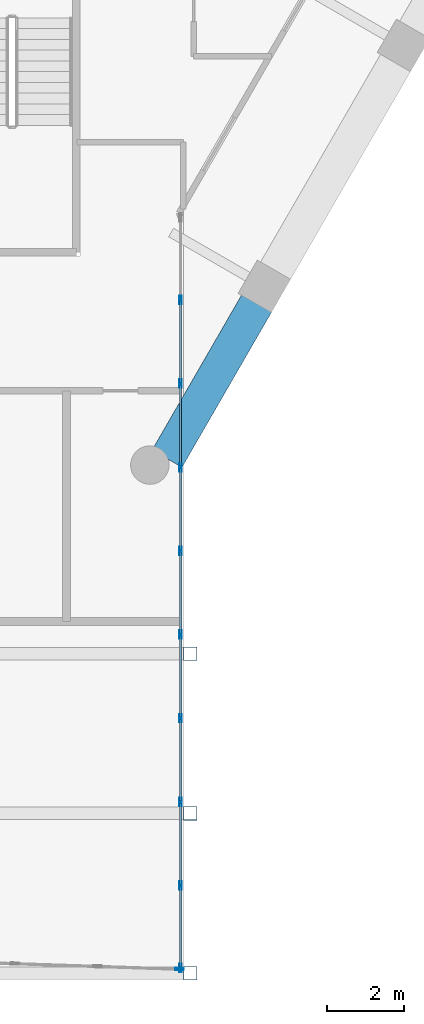
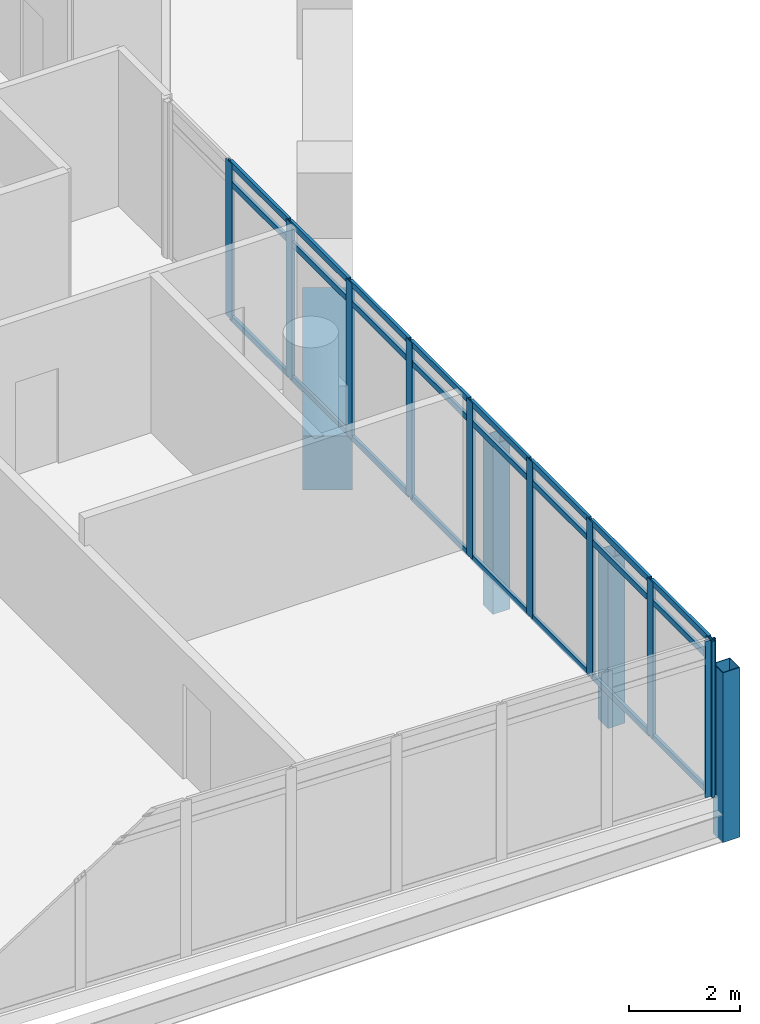
# One storey, part 10 of 29: 37 members, 1 beam, 2 elements without a shape of their own.
"""IFC4 building model written with IfcOpenShell, lengths in metres."""

from ifc_helpers import new_model, si_unit, direction, frame, origin, origin_2d, place, context, subcontext, project, spatial, rectangle, hollow_rectangle, extrude, material, material_profile, profile_set, type_object, element, aggregate, save


model = new_model("IFC4")

# Units and contexts
model_context = context("Model", 3, precision=1e-05, world=origin(), true_north=direction((0.0, 1.0)))
body_context = subcontext(model_context, "Body", "Model", "MODEL_VIEW")
ifc_project = project(units=[si_unit("LENGTHUNIT", "METRE"), si_unit("AREAUNIT", "SQUARE_METRE"), si_unit("VOLUMEUNIT", "CUBIC_METRE"), si_unit("PLANEANGLEUNIT", "RADIAN"), si_unit("MASSUNIT", "GRAM", prefix="KILO")], contexts=[model_context])

# Site, building, storey
site_placement = place(None, origin())
site = spatial("IfcSite", under=ifc_project, at=site_placement, CompositionType="ELEMENT")
building_placement = place(site_placement, origin())
building = spatial("IfcBuilding", under=site, at=building_placement, Name="Ostrander Bayou Hotel Tower", CompositionType="ELEMENT")
storey_placement = place(building_placement, frame((0.0, 0.0, 202.0)))
storey = spatial("IfcBuildingStorey", under=building, at=storey_placement, Name="L50", CompositionType="ELEMENT", Elevation=202.0)

# Curtain wall, member
ifc_material_1 = material(Name="Aluminium and clear glass", Category="aluminium")
curtain_wall_type = type_object("IfcCurtainWallType", Name="CW-BAR glazed wall", PredefinedType="NOTDEFINED", material=ifc_material_1)
curtain_wall_1_placement = place(storey_placement, origin())
curtain_wall_1 = element("IfcCurtainWall", 1, at=curtain_wall_1_placement, inside=storey, type_object=curtain_wall_type, Name="CW-BAR L50:SB4S:T", PredefinedType="NOTDEFINED")
ifc_material_2 = material(Name="Aluminium", Category="aluminium")
ifc_material_profile_1 = material_profile(ifc_material_2, hollow_rectangle(XDim=0.06005859375, YDim=0.219970703125, WallThickness=0.00390625, at=origin_2d()))
ifc_profile_set_1 = profile_set([ifc_material_profile_1], Name="Aluminium")
member_type_1 = type_object("IfcMemberType", Name="CW-BR mullion 60 x 220 mm", PredefinedType="MULLION", material=ifc_profile_set_1)
member_1_placement = place(storey_placement, frame((11.8271484375, -30.04638671875, 0.0), z_axis=(0.0, 0.0, 1.0), x_axis=(0.03350511268, 0.999438546097, 0.0)))
member_1 = element("IfcMember", 2, at=member_1_placement, type_object=member_type_1, Name="CW-BAR mullion 12", PredefinedType="MULLION", context=body_context, shape_type="SweptSolid", body=[
    extrude(hollow_rectangle(XDim=0.06005859375, YDim=0.219970703125, WallThickness=0.00390625, at=origin_2d()), origin(), (0.0, 0.0, 1.0), 3.449951171875),
])
aggregate(curtain_wall_1, [member_1])

# Curtain wall, members
curtain_wall_2_placement = place(storey_placement, origin())
curtain_wall_2 = element("IfcCurtainWall", 3, at=curtain_wall_2_placement, inside=storey, type_object=curtain_wall_type, Name="CW-BAR L50:SB4S:W", PredefinedType="NOTDEFINED")
member_2_placement = place(storey_placement, frame((11.857177734375, -12.638671875, 0.0), z_axis=(0.0, 0.0, 1.0), x_axis=(1.0, 0.0, 0.0)))
member_2 = element("IfcMember", 4, at=member_2_placement, type_object=member_type_1, Name="CW-BAR mullion 2", PredefinedType="MULLION", context=body_context, shape_type="SweptSolid", body=[
    extrude(hollow_rectangle(XDim=0.06005859375, YDim=0.219970703125, WallThickness=0.00390625, at=origin_2d()), origin(), (0.0, 0.0, 1.0), 3.449951171875),
])
member_3_placement = place(storey_placement, frame((11.857177734375, -14.81494140625, 0.0), z_axis=(0.0, 0.0, 1.0), x_axis=(1.0, 0.0, 0.0)))
member_3 = element("IfcMember", 5, at=member_3_placement, type_object=member_type_1, Name="CW-BAR mullion 3", PredefinedType="MULLION", context=body_context, shape_type="SweptSolid", body=[
    extrude(hollow_rectangle(XDim=0.06005859375, YDim=0.219970703125, WallThickness=0.00390625, at=origin_2d()), origin(), (0.0, 0.0, 1.0), 3.449951171875),
])
member_4_placement = place(storey_placement, frame((11.857177734375, -16.990966796875, 0.0), z_axis=(0.0, 0.0, 1.0), x_axis=(1.0, 0.0, 0.0)))
member_4 = element("IfcMember", 6, at=member_4_placement, type_object=member_type_1, Name="CW-BAR mullion 4", PredefinedType="MULLION", context=body_context, shape_type="SweptSolid", body=[
    extrude(hollow_rectangle(XDim=0.06005859375, YDim=0.219970703125, WallThickness=0.00390625, at=origin_2d()), origin(), (0.0, 0.0, 1.0), 3.449951171875),
])
member_5_placement = place(storey_placement, frame((11.857177734375, -19.1669921875, 0.0), z_axis=(0.0, 0.0, 1.0), x_axis=(1.0, 0.0, 0.0)))
member_5 = element("IfcMember", 7, at=member_5_placement, type_object=member_type_1, Name="CW-BAR mullion 5", PredefinedType="MULLION", context=body_context, shape_type="SweptSolid", body=[
    extrude(hollow_rectangle(XDim=0.06005859375, YDim=0.219970703125, WallThickness=0.00390625, at=origin_2d()), origin(), (0.0, 0.0, 1.0), 3.449951171875),
])
member_6_placement = place(storey_placement, frame((11.857177734375, -21.34326171875, 0.0), z_axis=(0.0, 0.0, 1.0), x_axis=(1.0, 0.0, 0.0)))
member_6 = element("IfcMember", 8, at=member_6_placement, type_object=member_type_1, Name="CW-BAR mullion 6", PredefinedType="MULLION", context=body_context, shape_type="SweptSolid", body=[
    extrude(hollow_rectangle(XDim=0.06005859375, YDim=0.219970703125, WallThickness=0.00390625, at=origin_2d()), origin(), (0.0, 0.0, 1.0), 3.449951171875),
])
member_7_placement = place(storey_placement, frame((11.857177734375, -23.519287109375, 0.0), z_axis=(0.0, 0.0, 1.0), x_axis=(1.0, 0.0, 0.0)))
member_7 = element("IfcMember", 9, at=member_7_placement, type_object=member_type_1, Name="CW-BAR mullion 7", PredefinedType="MULLION", context=body_context, shape_type="SweptSolid", body=[
    extrude(hollow_rectangle(XDim=0.06005859375, YDim=0.219970703125, WallThickness=0.00390625, at=origin_2d()), origin(), (0.0, 0.0, 1.0), 3.449951171875),
])
member_8_placement = place(storey_placement, frame((11.857177734375, -25.6953125, 0.0), z_axis=(0.0, 0.0, 1.0), x_axis=(1.0, 0.0, 0.0)))
member_8 = element("IfcMember", 10, at=member_8_placement, type_object=member_type_1, Name="CW-BAR mullion 8", PredefinedType="MULLION", context=body_context, shape_type="SweptSolid", body=[
    extrude(hollow_rectangle(XDim=0.06005859375, YDim=0.219970703125, WallThickness=0.00390625, at=origin_2d()), origin(), (0.0, 0.0, 1.0), 3.449951171875),
])
member_9_placement = place(storey_placement, frame((11.857177734375, -27.871337890625, 0.0), z_axis=(0.0, 0.0, 1.0), x_axis=(1.0, 0.0, 0.0)))
member_9 = element("IfcMember", 11, at=member_9_placement, type_object=member_type_1, Name="CW-BAR mullion 9", PredefinedType="MULLION", context=body_context, shape_type="SweptSolid", body=[
    extrude(hollow_rectangle(XDim=0.06005859375, YDim=0.219970703125, WallThickness=0.00390625, at=origin_2d()), origin(), (0.0, 0.0, 1.0), 3.449951171875),
])
member_10_placement = place(storey_placement, frame((11.857177734375, -30.017578125, 0.0), z_axis=(0.0, 0.0, 1.0), x_axis=(1.0, 0.0, 0.0)))
member_10 = element("IfcMember", 12, at=member_10_placement, type_object=member_type_1, Name="CW-BAR mullion 10", PredefinedType="MULLION", context=body_context, shape_type="SweptSolid", body=[
    extrude(hollow_rectangle(XDim=0.06005859375, YDim=0.219970703125, WallThickness=0.00390625, at=origin_2d()), origin(), (0.0, 0.0, 1.0), 3.449951171875),
])
ifc_material_3 = material(Name="Aluminium", Category="aluminium")
ifc_material_profile_2 = material_profile(ifc_material_3, hollow_rectangle(XDim=0.06005859375, YDim=0.1298828125, WallThickness=0.00390625, at=origin_2d()))
ifc_profile_set_2 = profile_set([ifc_material_profile_2], Name="Aluminium")
member_type_2 = type_object("IfcMemberType", Name="CW-BR transom 60 x 130 mm", PredefinedType="USERDEFINED", material=ifc_profile_set_2)
member_11_placement = place(storey_placement, frame((11.857177734375, -12.668701171875, 0.030029296875), z_axis=(0.0, -1.0, 0.0), x_axis=(1.0, 0.0, 0.0)))
member_11 = element("IfcMember", 13, at=member_11_placement, type_object=member_type_2, Name="CW-BAR transom 2.1", ObjectType="TRANSOM", PredefinedType="USERDEFINED", context=body_context, shape_type="SweptSolid", body=[
    extrude(hollow_rectangle(XDim=0.06005859375, YDim=0.1298828125, WallThickness=0.00390625, at=origin_2d()), origin(), (0.0, 0.0, 1.0), 2.1162109375),
])
member_12_placement = place(storey_placement, frame((11.857177734375, -12.668701171875, 3.0), z_axis=(0.0, -1.0, 0.0), x_axis=(1.0, 0.0, 0.0)))
member_12 = element("IfcMember", 14, at=member_12_placement, type_object=member_type_2, Name="CW-BAR transom 2.2", ObjectType="TRANSOM", PredefinedType="USERDEFINED", context=body_context, shape_type="SweptSolid", body=[
    extrude(hollow_rectangle(XDim=0.06005859375, YDim=0.1298828125, WallThickness=0.00390625, at=origin_2d()), origin(), (0.0, 0.0, 1.0), 2.1162109375),
])
member_13_placement = place(storey_placement, frame((11.857177734375, -12.668701171875, 3.419921875), z_axis=(0.0, -1.0, 0.0), x_axis=(1.0, 0.0, 0.0)))
member_13 = element("IfcMember", 15, at=member_13_placement, type_object=member_type_2, Name="CW-BAR transom 2.3", ObjectType="TRANSOM", PredefinedType="USERDEFINED", context=body_context, shape_type="SweptSolid", body=[
    extrude(hollow_rectangle(XDim=0.06005859375, YDim=0.1298828125, WallThickness=0.00390625, at=origin_2d()), origin(), (0.0, 0.0, 1.0), 2.1162109375),
])
member_14_placement = place(storey_placement, frame((11.857177734375, -14.844970703125, 0.030029296875), z_axis=(0.0, -1.0, 0.0), x_axis=(1.0, 0.0, 0.0)))
member_14 = element("IfcMember", 16, at=member_14_placement, type_object=member_type_2, Name="CW-BAR transom 3.1", ObjectType="TRANSOM", PredefinedType="USERDEFINED", context=body_context, shape_type="SweptSolid", body=[
    extrude(hollow_rectangle(XDim=0.06005859375, YDim=0.1298828125, WallThickness=0.00390625, at=origin_2d()), origin(), (0.0, 0.0, 1.0), 2.115966796875),
])
member_15_placement = place(storey_placement, frame((11.857177734375, -14.844970703125, 3.0), z_axis=(0.0, -1.0, 0.0), x_axis=(1.0, 0.0, 0.0)))
member_15 = element("IfcMember", 17, at=member_15_placement, type_object=member_type_2, Name="CW-BAR transom 3.2", ObjectType="TRANSOM", PredefinedType="USERDEFINED", context=body_context, shape_type="SweptSolid", body=[
    extrude(hollow_rectangle(XDim=0.06005859375, YDim=0.1298828125, WallThickness=0.00390625, at=origin_2d()), origin(), (0.0, 0.0, 1.0), 2.115966796875),
])
member_16_placement = place(storey_placement, frame((11.857177734375, -14.844970703125, 3.419921875), z_axis=(0.0, -1.0, 0.0), x_axis=(1.0, 0.0, 0.0)))
member_16 = element("IfcMember", 18, at=member_16_placement, type_object=member_type_2, Name="CW-BAR transom 3.3", ObjectType="TRANSOM", PredefinedType="USERDEFINED", context=body_context, shape_type="SweptSolid", body=[
    extrude(hollow_rectangle(XDim=0.06005859375, YDim=0.1298828125, WallThickness=0.00390625, at=origin_2d()), origin(), (0.0, 0.0, 1.0), 2.115966796875),
])
member_17_placement = place(storey_placement, frame((11.857177734375, -17.02099609375, 0.030029296875), z_axis=(0.0, -1.0, 0.0), x_axis=(1.0, 0.0, 0.0)))
member_17 = element("IfcMember", 19, at=member_17_placement, type_object=member_type_2, Name="CW-BAR transom 4.1", ObjectType="TRANSOM", PredefinedType="USERDEFINED", context=body_context, shape_type="SweptSolid", body=[
    extrude(hollow_rectangle(XDim=0.06005859375, YDim=0.1298828125, WallThickness=0.00390625, at=origin_2d()), origin(), (0.0, 0.0, 1.0), 2.115966796875),
])
member_18_placement = place(storey_placement, frame((11.857177734375, -17.02099609375, 3.0), z_axis=(0.0, -1.0, 0.0), x_axis=(1.0, 0.0, 0.0)))
member_18 = element("IfcMember", 20, at=member_18_placement, type_object=member_type_2, Name="CW-BAR transom 4.2", ObjectType="TRANSOM", PredefinedType="USERDEFINED", context=body_context, shape_type="SweptSolid", body=[
    extrude(hollow_rectangle(XDim=0.06005859375, YDim=0.1298828125, WallThickness=0.00390625, at=origin_2d()), origin(), (0.0, 0.0, 1.0), 2.115966796875),
])
member_19_placement = place(storey_placement, frame((11.857177734375, -17.02099609375, 3.419921875), z_axis=(0.0, -1.0, 0.0), x_axis=(1.0, 0.0, 0.0)))
member_19 = element("IfcMember", 21, at=member_19_placement, type_object=member_type_2, Name="CW-BAR transom 4.3", ObjectType="TRANSOM", PredefinedType="USERDEFINED", context=body_context, shape_type="SweptSolid", body=[
    extrude(hollow_rectangle(XDim=0.06005859375, YDim=0.1298828125, WallThickness=0.00390625, at=origin_2d()), origin(), (0.0, 0.0, 1.0), 2.115966796875),
])
member_20_placement = place(storey_placement, frame((11.857177734375, -19.197021484375, 0.030029296875), z_axis=(0.0, -1.0, 0.0), x_axis=(1.0, 0.0, 0.0)))
member_20 = element("IfcMember", 22, at=member_20_placement, type_object=member_type_2, Name="CW-BAR transom 5.1", ObjectType="TRANSOM", PredefinedType="USERDEFINED", context=body_context, shape_type="SweptSolid", body=[
    extrude(hollow_rectangle(XDim=0.06005859375, YDim=0.1298828125, WallThickness=0.00390625, at=origin_2d()), origin(), (0.0, 0.0, 1.0), 2.1162109375),
])
member_21_placement = place(storey_placement, frame((11.857177734375, -19.197021484375, 3.0), z_axis=(0.0, -1.0, 0.0), x_axis=(1.0, 0.0, 0.0)))
member_21 = element("IfcMember", 23, at=member_21_placement, type_object=member_type_2, Name="CW-BAR transom 5.2", ObjectType="TRANSOM", PredefinedType="USERDEFINED", context=body_context, shape_type="SweptSolid", body=[
    extrude(hollow_rectangle(XDim=0.06005859375, YDim=0.1298828125, WallThickness=0.00390625, at=origin_2d()), origin(), (0.0, 0.0, 1.0), 2.1162109375),
])
member_22_placement = place(storey_placement, frame((11.857177734375, -19.197021484375, 3.419921875), z_axis=(0.0, -1.0, 0.0), x_axis=(1.0, 0.0, 0.0)))
member_22 = element("IfcMember", 24, at=member_22_placement, type_object=member_type_2, Name="CW-BAR transom 5.3", ObjectType="TRANSOM", PredefinedType="USERDEFINED", context=body_context, shape_type="SweptSolid", body=[
    extrude(hollow_rectangle(XDim=0.06005859375, YDim=0.1298828125, WallThickness=0.00390625, at=origin_2d()), origin(), (0.0, 0.0, 1.0), 2.1162109375),
])
member_23_placement = place(storey_placement, frame((11.857177734375, -21.373046875, 0.030029296875), z_axis=(0.0, -1.0, 0.0), x_axis=(1.0, 0.0, 0.0)))
member_23 = element("IfcMember", 25, at=member_23_placement, type_object=member_type_2, Name="CW-BAR transom 6.1", ObjectType="TRANSOM", PredefinedType="USERDEFINED", context=body_context, shape_type="SweptSolid", body=[
    extrude(hollow_rectangle(XDim=0.06005859375, YDim=0.1298828125, WallThickness=0.00390625, at=origin_2d()), origin(), (0.0, 0.0, 1.0), 2.1162109375),
])
member_24_placement = place(storey_placement, frame((11.857177734375, -21.373046875, 3.0), z_axis=(0.0, -1.0, 0.0), x_axis=(1.0, 0.0, 0.0)))
member_24 = element("IfcMember", 26, at=member_24_placement, type_object=member_type_2, Name="CW-BAR transom 6.2", ObjectType="TRANSOM", PredefinedType="USERDEFINED", context=body_context, shape_type="SweptSolid", body=[
    extrude(hollow_rectangle(XDim=0.06005859375, YDim=0.1298828125, WallThickness=0.00390625, at=origin_2d()), origin(), (0.0, 0.0, 1.0), 2.1162109375),
])
member_25_placement = place(storey_placement, frame((11.857177734375, -21.373046875, 3.419921875), z_axis=(0.0, -1.0, 0.0), x_axis=(1.0, 0.0, 0.0)))
member_25 = element("IfcMember", 27, at=member_25_placement, type_object=member_type_2, Name="CW-BAR transom 6.3", ObjectType="TRANSOM", PredefinedType="USERDEFINED", context=body_context, shape_type="SweptSolid", body=[
    extrude(hollow_rectangle(XDim=0.06005859375, YDim=0.1298828125, WallThickness=0.00390625, at=origin_2d()), origin(), (0.0, 0.0, 1.0), 2.1162109375),
])
member_26_placement = place(storey_placement, frame((11.857177734375, -23.54931640625, 0.030029296875), z_axis=(0.0, -1.0, 0.0), x_axis=(1.0, 0.0, 0.0)))
member_26 = element("IfcMember", 28, at=member_26_placement, type_object=member_type_2, Name="CW-BAR transom 7.1", ObjectType="TRANSOM", PredefinedType="USERDEFINED", context=body_context, shape_type="SweptSolid", body=[
    extrude(hollow_rectangle(XDim=0.06005859375, YDim=0.1298828125, WallThickness=0.00390625, at=origin_2d()), origin(), (0.0, 0.0, 1.0), 2.115966796875),
])
member_27_placement = place(storey_placement, frame((11.857177734375, -23.54931640625, 3.0), z_axis=(0.0, -1.0, 0.0), x_axis=(1.0, 0.0, 0.0)))
member_27 = element("IfcMember", 29, at=member_27_placement, type_object=member_type_2, Name="CW-BAR transom 7.2", ObjectType="TRANSOM", PredefinedType="USERDEFINED", context=body_context, shape_type="SweptSolid", body=[
    extrude(hollow_rectangle(XDim=0.06005859375, YDim=0.1298828125, WallThickness=0.00390625, at=origin_2d()), origin(), (0.0, 0.0, 1.0), 2.115966796875),
])
member_28_placement = place(storey_placement, frame((11.857177734375, -23.54931640625, 3.419921875), z_axis=(0.0, -1.0, 0.0), x_axis=(1.0, 0.0, 0.0)))
member_28 = element("IfcMember", 30, at=member_28_placement, type_object=member_type_2, Name="CW-BAR transom 7.3", ObjectType="TRANSOM", PredefinedType="USERDEFINED", context=body_context, shape_type="SweptSolid", body=[
    extrude(hollow_rectangle(XDim=0.06005859375, YDim=0.1298828125, WallThickness=0.00390625, at=origin_2d()), origin(), (0.0, 0.0, 1.0), 2.115966796875),
])
member_29_placement = place(storey_placement, frame((11.857177734375, -25.725341796875, 0.030029296875), z_axis=(0.0, -1.0, 0.0), x_axis=(1.0, 0.0, 0.0)))
member_29 = element("IfcMember", 31, at=member_29_placement, type_object=member_type_2, Name="CW-BAR transom 8.1", ObjectType="TRANSOM", PredefinedType="USERDEFINED", context=body_context, shape_type="SweptSolid", body=[
    extrude(hollow_rectangle(XDim=0.06005859375, YDim=0.1298828125, WallThickness=0.00390625, at=origin_2d()), origin(), (0.0, 0.0, 1.0), 2.115966796875),
])
member_30_placement = place(storey_placement, frame((11.857177734375, -25.725341796875, 3.0), z_axis=(0.0, -1.0, 0.0), x_axis=(1.0, 0.0, 0.0)))
member_30 = element("IfcMember", 32, at=member_30_placement, type_object=member_type_2, Name="CW-BAR transom 8.2", ObjectType="TRANSOM", PredefinedType="USERDEFINED", context=body_context, shape_type="SweptSolid", body=[
    extrude(hollow_rectangle(XDim=0.06005859375, YDim=0.1298828125, WallThickness=0.00390625, at=origin_2d()), origin(), (0.0, 0.0, 1.0), 2.115966796875),
])
member_31_placement = place(storey_placement, frame((11.857177734375, -25.725341796875, 3.419921875), z_axis=(0.0, -1.0, 0.0), x_axis=(1.0, 0.0, 0.0)))
member_31 = element("IfcMember", 33, at=member_31_placement, type_object=member_type_2, Name="CW-BAR transom 8.3", ObjectType="TRANSOM", PredefinedType="USERDEFINED", context=body_context, shape_type="SweptSolid", body=[
    extrude(hollow_rectangle(XDim=0.06005859375, YDim=0.1298828125, WallThickness=0.00390625, at=origin_2d()), origin(), (0.0, 0.0, 1.0), 2.115966796875),
])
member_32_placement = place(storey_placement, frame((11.857177734375, -27.9013671875, 0.030029296875), z_axis=(0.0, -1.0, 0.0), x_axis=(1.0, 0.0, 0.0)))
member_32 = element("IfcMember", 34, at=member_32_placement, type_object=member_type_2, Name="CW-BAR transom 9.1", ObjectType="TRANSOM", PredefinedType="USERDEFINED", context=body_context, shape_type="SweptSolid", body=[
    extrude(hollow_rectangle(XDim=0.06005859375, YDim=0.1298828125, WallThickness=0.00390625, at=origin_2d()), origin(), (0.0, 0.0, 1.0), 2.086181640625),
])
member_33_placement = place(storey_placement, frame((11.857177734375, -27.9013671875, 3.0), z_axis=(0.0, -1.0, 0.0), x_axis=(1.0, 0.0, 0.0)))
member_33 = element("IfcMember", 35, at=member_33_placement, type_object=member_type_2, Name="CW-BAR transom 9.2", ObjectType="TRANSOM", PredefinedType="USERDEFINED", context=body_context, shape_type="SweptSolid", body=[
    extrude(hollow_rectangle(XDim=0.06005859375, YDim=0.1298828125, WallThickness=0.00390625, at=origin_2d()), origin(), (0.0, 0.0, 1.0), 2.086181640625),
])
member_34_placement = place(storey_placement, frame((11.857177734375, -27.9013671875, 3.419921875), z_axis=(0.0, -1.0, 0.0), x_axis=(1.0, 0.0, 0.0)))
member_34 = element("IfcMember", 36, at=member_34_placement, type_object=member_type_2, Name="CW-BAR transom 9.3", ObjectType="TRANSOM", PredefinedType="USERDEFINED", context=body_context, shape_type="SweptSolid", body=[
    extrude(hollow_rectangle(XDim=0.06005859375, YDim=0.1298828125, WallThickness=0.00390625, at=origin_2d()), origin(), (0.0, 0.0, 1.0), 2.086181640625),
])
aggregate(curtain_wall_2, [member_2, member_3, member_4, member_5, member_6, member_7, member_8, member_9, member_10, member_11, member_12, member_13, member_14, member_15, member_16, member_17, member_18, member_19, member_20, member_21, member_22, member_23, member_24, member_25, member_26, member_27, member_28, member_29, member_30, member_31, member_32, member_33, member_34])

# Beam
ifc_material_4 = material(Name="Concrete f'c 60 MPa", Category="concrete")
ifc_material_profile_3 = material_profile(ifc_material_4, rectangle(XDim=0.89990234375, YDim=1.199951171875, at=origin_2d()))
ifc_profile_set_3 = profile_set([ifc_material_profile_3], Name="Concrete f'c 60 MPa")
beam_type = type_object("IfcBeamType", Name="SP3 spandrel beam 900 x 1200 mm f'c 60 MPa", PredefinedType="SPANDREL", material=ifc_profile_set_3)
beam_placement = place(storey_placement, frame((11.508056640625, -16.767578125, -0.60009765625), z_axis=(0.499966354109, 0.866044828377, 0.0), x_axis=(-0.866044828377, 0.499966354109, 0.0)))
element("IfcBeam", 37, at=beam_placement, inside=storey, type_object=beam_type, Name="SP3 L50 SE-1", PredefinedType="SPANDREL", context=body_context, shape_type="SweptSolid", body=[
    extrude(rectangle(XDim=0.89990234375, YDim=1.199951171875, at=origin_2d()), origin(), (0.0, 0.0, 1.0), 4.678955078125),
])

# Members
ifc_material_5 = material(Name="Steel ASTM A500 Gr C", Category="steel")
ifc_material_profile_4 = material_profile(ifc_material_5, hollow_rectangle(XDim=0.355712890625, YDim=0.355712890625, WallThickness=0.0146484375, at=origin_2d()))
ifc_profile_set_4 = profile_set([ifc_material_profile_4], Name="Steel ASTM A500 Gr C")
member_type_3 = type_object("IfcMemberType", Name="TH1 bar hanger HSS14x14x5/8", PredefinedType="POST", material=ifc_profile_set_4)
for number, where, z_axis, x_axis, name in (
    (38, (12.110107421875, -21.840576171875, -0.9111328125), (0.0, 0.0, 1.0), (1.0, 0.0, 0.0), "TH1 SB4SB H1-3"),
    (39, (12.110107421875, -25.995361328125, -0.9111328125), (0.0, 0.0, 1.0), (1.0, 0.0, 0.0), "TH1 SB4SB H2-3"),
    (40, (12.110107421875, -30.14990234375, -0.9111328125), (0.0, 0.0, 1.0), (1.0, 0.0, 0.0), "TH1 SB4SB H3-3"),
):
    element("IfcMember", number, at=place(storey_placement, frame(where, z_axis=z_axis, x_axis=x_axis)), inside=storey, type_object=member_type_3, Name=name, PredefinedType="POST", context=body_context, shape_type="SweptSolid", body=[
        extrude(hollow_rectangle(XDim=0.355712890625, YDim=0.355712890625, WallThickness=0.0146484375, at=origin_2d()), origin(), (0.0, 0.0, 1.0), 3.75),
    ])

save(model, "model.ifc")
